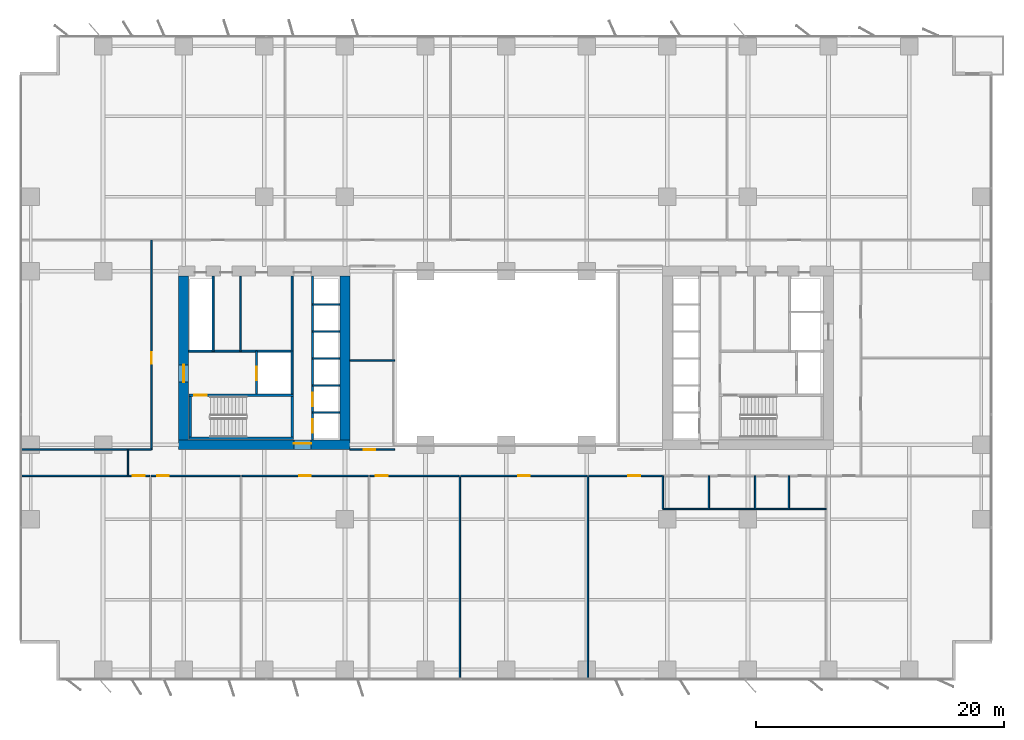
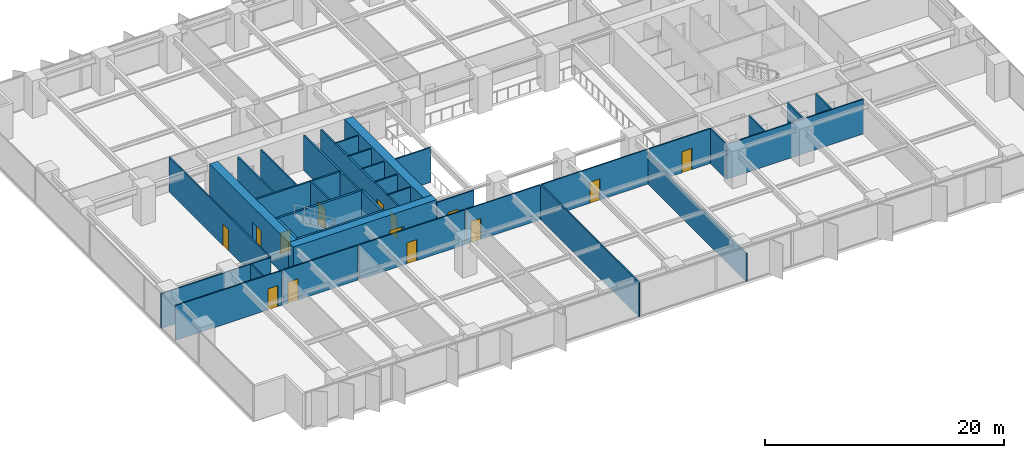
# One storey, part 13 of 20: 37 walls, 14 doors, 14 openings.
"""IFC4 building model written with IfcOpenShell, lengths in metres."""

from ifc_helpers import new_model, si_unit, direction, frame, frame_2d, origin, place, context, subcontext, project, spatial, rectangle, extrude, material, layer, layer_set, type_object, element, fill, save


model = new_model("IFC4")

# Units and contexts
model_context = context("Model", 3, precision=1e-05, world=origin(), true_north=direction((0.0, 1.0)))
body_context = subcontext(model_context, "Body", "Model", "MODEL_VIEW")
ifc_project = project(units=[si_unit("LENGTHUNIT", "METRE"), si_unit("AREAUNIT", "SQUARE_METRE"), si_unit("VOLUMEUNIT", "CUBIC_METRE"), si_unit("PLANEANGLEUNIT", "RADIAN"), si_unit("MASSUNIT", "GRAM", prefix="KILO")], contexts=[model_context])

# Site, building, storey
site_placement = place(None, origin())
site = spatial("IfcSite", under=ifc_project, at=site_placement, CompositionType="ELEMENT")
building_placement = place(site_placement, origin())
building = spatial("IfcBuilding", under=site, at=building_placement, Name="Putna Gate Headquarters", CompositionType="ELEMENT")
storey_placement = place(building_placement, frame((0.0, 0.0, 65.800048828125)))
storey = spatial("IfcBuildingStorey", under=building, at=storey_placement, Name="L15", CompositionType="ELEMENT", Elevation=65.800048828125)

# Wall, opening, door
ifc_material_1 = material(Name="Concrete C60/75", Category="concrete")
ifc_layer_1 = layer(ifc_material_1, 0.800048828125)
ifc_layer_set_1 = layer_set([ifc_layer_1], Name="Concrete C60/75")
wall_type_1 = type_object("IfcWallType", Name="WALL-CORE-800", PredefinedType="SHEAR", material=ifc_layer_set_1)
wall_1_placement = place(storey_placement, frame((12.60009765625, 19.0, 0.0), z_axis=(0.0, 0.0, 1.0), x_axis=(1.0, 0.0, 0.0)))
wall_1 = element("IfcWall", 1, at=wall_1_placement, inside=storey, type_object=wall_type_1, Name="L15 WC Split Core Shear Wall S", PredefinedType="SHEAR", context=body_context, shape_type="SweptSolid", body=[
    extrude(rectangle(XDim=13.7998046875, YDim=0.800048828125, at=frame_2d((6.89990234375, 0.0))), origin(), (0.0, 0.0, 1.0), 3.800048828125),
])
opening_1_placement = place(wall_1_placement, frame((9.280029296875, 0.0, 0.0)))
opening_1 = element("IfcOpeningElement", 2, at=opening_1_placement, cuts=wall_1, Name="Opening FDD-140", PredefinedType="OPENING", context=body_context, shape_type="SweptSolid", body=[
    extrude(rectangle(XDim=1.39990234375, YDim=2.199951171875, at=frame_2d((0.699951171875, 1.10009765625))), frame((0.0, 0.409912109375, 0.0), z_axis=(0.0, -1.0, 0.0), x_axis=(1.0, 0.0, 0.0)), (0.0, 0.0, 1.0), 0.820068359375),
])
ifc_material_2 = material(Name="Double steel fire door", Category="steel")
door_type_1 = type_object("IfcDoorType", Name="DOOR-FIRE-DBL-1400", OperationType="DOUBLE_DOOR_SINGLE_SWING", PredefinedType="DOOR", material=ifc_material_2)
door_1_placement = place(opening_1_placement, origin())
door_1 = element("IfcDoor", 3, at=door_1_placement, inside=storey, type_object=door_type_1, Name="L15 West Lift Lobby South Door", OperationType="DOUBLE_DOOR_SINGLE_SWING", OverallHeight=2.199951171875, OverallWidth=1.39990234375, PredefinedType="DOOR", context=body_context, shape_type="SweptSolid", body=[
    extrude(rectangle(XDim=1.39990234375, YDim=2.199951171875, at=frame_2d((0.699951171875, 1.10009765625))), frame((0.0, 0.125, 0.0), z_axis=(0.0, -1.0, 0.0), x_axis=(1.0, 0.0, 0.0)), (0.0, 0.0, 1.0), 0.050048828125),
])
fill(opening_1, door_1)

wall_2_placement = place(storey_placement, frame((13.0, 19.39990234375, 0.0), z_axis=(0.0, 0.0, 1.0), x_axis=(0.0, 1.0, 0.0)))
wall_2 = element("IfcWall", 4, at=wall_2_placement, inside=storey, type_object=wall_type_1, Name="L15 WC Split Core Shear Wall W", PredefinedType="SHEAR", context=body_context, shape_type="SweptSolid", body=[
    extrude(rectangle(XDim=13.2001953125, YDim=0.800048828125, at=frame_2d((6.60009765625, 0.0))), origin(), (0.0, 0.0, 1.0), 3.800048828125),
])
opening_2_placement = place(wall_2_placement, frame((4.64990234375, 0.0, 0.0)))
opening_2 = element("IfcOpeningElement", 5, at=opening_2_placement, cuts=wall_2, Name="Opening FDD-140", PredefinedType="OPENING", context=body_context, shape_type="SweptSolid", body=[
    extrude(rectangle(XDim=1.39990234375, YDim=2.199951171875, at=frame_2d((0.699951171875, 1.10009765625))), frame((0.0, 0.409912109375, 0.0), z_axis=(0.0, -1.0, 0.0), x_axis=(1.0, 0.0, 0.0)), (0.0, 0.0, 1.0), 0.820068359375),
])
door_2_placement = place(opening_2_placement, origin())
door_2 = element("IfcDoor", 6, at=door_2_placement, inside=storey, type_object=door_type_1, Name="L15 West Firefighting Lobby Door", OperationType="DOUBLE_DOOR_SINGLE_SWING", OverallHeight=2.199951171875, OverallWidth=1.39990234375, PredefinedType="DOOR", context=body_context, shape_type="SweptSolid", body=[
    extrude(rectangle(XDim=1.39990234375, YDim=2.199951171875, at=frame_2d((0.699951171875, 1.10009765625))), frame((0.0, 0.02490234375, 0.0), z_axis=(0.0, -1.0, 0.0), x_axis=(1.0, 0.0, 0.0)), (0.0, 0.0, 1.0), 0.050048828125),
])
fill(opening_2, door_2)

# Walls
wall_3_placement = place(storey_placement, frame((26.0, 19.39990234375, 0.0), z_axis=(0.0, 0.0, 1.0), x_axis=(0.0, 1.0, 0.0)))
element("IfcWall", 7, at=wall_3_placement, inside=storey, type_object=wall_type_1, Name="L15 WC Split Core Shear Wall E", PredefinedType="SHEAR", context=body_context, shape_type="SweptSolid", body=[
    extrude(rectangle(XDim=13.2001953125, YDim=0.800048828125, at=frame_2d((6.60009765625, 0.0))), origin(), (0.0, 0.0, 1.0), 3.800048828125),
])
ifc_material_3 = material(Name="Acoustic gypsum board on metal stud")
ifc_layer_2 = layer(ifc_material_3, 0.1201171875)
ifc_layer_set_2 = layer_set([ifc_layer_2], Name="Acoustic gypsum board on metal stud")
wall_type_2 = type_object("IfcWallType", Name="WALL-PART-120", PredefinedType="PARTITIONING", material=ifc_layer_set_2)
wall_4_placement = place(storey_placement, frame((26.39990234375, 25.800048828125, 0.0), z_axis=(0.0, 0.0, 1.0), x_axis=(1.0, 0.0, 0.0)))
element("IfcWall", 8, at=wall_4_placement, inside=storey, type_object=wall_type_2, Name="L15 Interior Wall PART-L15-ATR-W-DIV", PredefinedType="PARTITIONING", context=body_context, shape_type="SweptSolid", body=[
    extrude(rectangle(XDim=3.60009765625, YDim=0.1201171875, at=frame_2d((1.800048828125, 0.0))), origin(), (0.0, 0.0, 1.0), 3.550048828125),
])

# Wall, opening, door
wall_5_placement = place(storey_placement, frame((26.39990234375, 18.60009765625, 0.0), z_axis=(0.0, 0.0, 1.0), x_axis=(1.0, 0.0, 0.0)))
wall_5 = element("IfcWall", 9, at=wall_5_placement, inside=storey, type_object=wall_type_2, Name="L15 Interior Wall PART-L15-ATR-W-S", PredefinedType="PARTITIONING", context=body_context, shape_type="SweptSolid", body=[
    extrude(rectangle(XDim=3.60009765625, YDim=0.1201171875, at=frame_2d((1.800048828125, 0.0))), origin(), (0.0, 0.0, 1.0), 3.550048828125),
])
opening_3_placement = place(wall_5_placement, frame((1.10009765625, 0.0, 0.0)))
opening_3 = element("IfcOpeningElement", 10, at=opening_3_placement, cuts=wall_5, Name="Opening ID-95", PredefinedType="OPENING", context=body_context, shape_type="SweptSolid", body=[
    extrude(rectangle(XDim=0.949951171875, YDim=2.14990234375, at=frame_2d((0.47509765625, 1.074951171875))), frame((0.0, 0.070068359375, 0.0), z_axis=(0.0, -1.0, 0.0), x_axis=(1.0, 0.0, 0.0)), (0.0, 0.0, 1.0), 0.14013671875),
])
ifc_material_4 = material(Name="Veneered acoustic timber door", Category="wood")
door_type_2 = type_object("IfcDoorType", Name="DOOR-OFF-950", OperationType="NOTDEFINED", PredefinedType="DOOR", material=ifc_material_4)
door_3_placement = place(opening_3_placement, origin())
door_3 = element("IfcDoor", 11, at=door_3_placement, inside=storey, type_object=door_type_2, Name="L15 West Atrium South Study Door", OperationType="SINGLE_SWING_LEFT", OverallHeight=2.14990234375, OverallWidth=0.949951171875, PredefinedType="DOOR", context=body_context, shape_type="SweptSolid", body=[
    extrude(rectangle(XDim=0.949951171875, YDim=2.14990234375, at=frame_2d((0.47509765625, 1.074951171875))), frame((0.0, 0.02490234375, 0.0), z_axis=(0.0, -1.0, 0.0), x_axis=(1.0, 0.0, 0.0)), (0.0, 0.0, 1.0), 0.050048828125),
])
fill(opening_3, door_3)

# Walls
wall_6_placement = place(storey_placement, frame((35.27099609375, 0.02001953125, 0.0), z_axis=(0.0, 0.0, 1.0), x_axis=(0.0, 1.0, 0.0)))
element("IfcWall", 12, at=wall_6_placement, inside=storey, type_object=wall_type_2, Name="L15 Interior Wall PART-L15-SB-DIV-04", PredefinedType="PARTITIONING", context=body_context, shape_type="SweptSolid", body=[
    extrude(rectangle(XDim=16.419921875, YDim=0.1201171875, at=frame_2d((8.2099609375, 0.0))), origin(), (0.0, 0.0, 1.0), 3.550048828125),
])
wall_7_placement = place(storey_placement, frame((45.60009765625, 0.02001953125, 0.0), z_axis=(0.0, 0.0, 1.0), x_axis=(0.0, 1.0, 0.0)))
element("IfcWall", 13, at=wall_7_placement, inside=storey, type_object=wall_type_2, Name="L15 Interior Wall PART-L15-SB-DIV-05", PredefinedType="PARTITIONING", context=body_context, shape_type="SweptSolid", body=[
    extrude(rectangle(XDim=16.419921875, YDim=0.1201171875, at=frame_2d((8.2099609375, 0.0))), origin(), (0.0, 0.0, 1.0), 2.89990234375),
])
ifc_material_5 = material(Name="Fire-rated shaftwall gypsum board on metal stud")
ifc_layer_3 = layer(ifc_material_5, 0.1201171875)
ifc_layer_set_3 = layer_set([ifc_layer_3], Name="Fire-rated shaftwall gypsum board on metal stud")
wall_type_3 = type_object("IfcWallType", Name="WALL-PART-120-EI120", PredefinedType="PARTITIONING", material=ifc_layer_set_3)
for number, where, z_axis, x_axis, name in (
    (14, (23.39990234375, 21.610107421875, 0.0), (0.0, 0.0, 1.0), (1.0, 0.0, 0.0), "L15 Interior Wall CWINT-L15-WC-LF01-DIV"),
    (15, (23.39990234375, 23.780029296875, 0.0), (0.0, 0.0, 1.0), (1.0, 0.0, 0.0), "L15 Interior Wall CWINT-L15-WC-LF02-DIV"),
    (16, (23.39990234375, 25.949951171875, 0.0), (0.0, 0.0, 1.0), (1.0, 0.0, 0.0), "L15 Interior Wall CWINT-L15-WC-LF05-DIV"),
    (17, (23.39990234375, 28.1201171875, 0.0), (0.0, 0.0, 1.0), (1.0, 0.0, 0.0), "L15 Interior Wall CWINT-L15-WC-LF06-DIV"),
    (18, (23.39990234375, 30.31005859375, 0.0), (0.0, 0.0, 1.0), (1.0, 0.0, 0.0), "L15 Interior Wall CWINT-L15-WC-LF09-DIV"),
):
    element("IfcWall", number, at=place(storey_placement, frame(where, z_axis=z_axis, x_axis=x_axis)), inside=storey, type_object=wall_type_3, Name=name, PredefinedType="PARTITIONING", context=body_context, shape_type="SweptSolid", body=[
        extrude(rectangle(XDim=2.2001953125, YDim=0.1201171875, at=frame_2d((1.10009765625, 0.0))), origin(), (0.0, 0.0, 1.0), 3.550048828125),
    ])
ifc_material_6 = material(Name="Fire-rated gypsum board on metal stud")
ifc_layer_4 = layer(ifc_material_6, 0.1201171875)
ifc_layer_set_4 = layer_set([ifc_layer_4], Name="Fire-rated gypsum board on metal stud")
wall_type_4 = type_object("IfcWallType", Name="WALL-PART-120-RATED", PredefinedType="PARTITIONING", material=ifc_layer_set_4)
wall_8_placement = place(storey_placement, frame((17.570068359375, 26.56005859375, 0.0), z_axis=(0.0, 0.0, 1.0), x_axis=(0.0, 1.0, 0.0)))
element("IfcWall", 19, at=wall_8_placement, inside=storey, type_object=wall_type_4, Name="L15 Interior Wall CWINT-L15-WC-K1-DIV", PredefinedType="PARTITIONING", context=body_context, shape_type="SweptSolid", body=[
    extrude(rectangle(XDim=6.0400390625, YDim=0.1201171875, at=frame_2d((3.02001953125, 0.0))), origin(), (0.0, 0.0, 1.0), 3.550048828125),
])
wall_9_placement = place(storey_placement, frame((8.509033203125, 16.5, 0.0), z_axis=(0.0, 0.0, 1.0), x_axis=(0.0, 1.0, 0.0)))
element("IfcWall", 20, at=wall_9_placement, inside=storey, type_object=wall_type_4, Name="L15 Interior Wall PART-L15-CORRS-CAPW", PredefinedType="PARTITIONING", context=body_context, shape_type="SweptSolid", body=[
    extrude(rectangle(XDim=2.10009765625, YDim=0.1201171875, at=frame_2d((1.050048828125, 0.0))), origin(), (0.0, 0.0, 1.0), 3.550048828125),
])
wall_10_placement = place(storey_placement, frame((51.639892578125, 13.820068359375, 0.0), z_axis=(0.0, 0.0, 1.0), x_axis=(1.0, 0.0, 0.0)))
element("IfcWall", 21, at=wall_10_placement, inside=storey, type_object=wall_type_4, Name="L15 Interior Wall PART-L15-SAN-BACK", PredefinedType="PARTITIONING", context=body_context, shape_type="SweptSolid", body=[
    extrude(rectangle(XDim=13.16015625, YDim=0.1201171875, at=frame_2d((6.580078125, 0.0))), origin(), (0.0, 0.0, 1.0), 3.550048828125),
])
for number, where, z_axis, x_axis, name in (
    (22, (51.639892578125, 13.820068359375, 0.0), (0.0, 0.0, 1.0), (0.0, 1.0, 0.0), "L15 Interior Wall PART-L15-SAN-DIV-1"),
    (23, (55.360107421875, 13.820068359375, 0.0), (0.0, 0.0, 1.0), (0.0, 1.0, 0.0), "L15 Interior Wall PART-L15-SAN-DIV-2"),
    (24, (59.080078125, 13.820068359375, 0.0), (0.0, 0.0, 1.0), (0.0, 1.0, 0.0), "L15 Interior Wall PART-L15-SAN-DIV-3"),
    (25, (61.800048828125, 13.820068359375, 0.0), (0.0, 0.0, 1.0), (0.0, 1.0, 0.0), "L15 Interior Wall PART-L15-SAN-DIV-4"),
):
    element("IfcWall", number, at=place(storey_placement, frame(where, z_axis=z_axis, x_axis=x_axis)), inside=storey, type_object=wall_type_4, Name=name, PredefinedType="PARTITIONING", context=body_context, shape_type="SweptSolid", body=[
        extrude(rectangle(XDim=2.679931640625, YDim=0.1201171875, at=frame_2d((1.33984375, 0.0))), origin(), (0.0, 0.0, 1.0), 3.550048828125),
    ])

# Wall, opening, door
wall_11_placement = place(storey_placement, frame((-0.02001953125, 16.5, 0.0), z_axis=(0.0, 0.0, 1.0), x_axis=(1.0, 0.0, 0.0)))
wall_11 = element("IfcWall", 26, at=wall_11_placement, inside=storey, type_object=wall_type_4, Name="L15 Interior Wall PART-L15-SB-CW-01", PredefinedType="PARTITIONING", context=body_context, shape_type="SweptSolid", body=[
    extrude(rectangle(XDim=10.26904296875, YDim=0.1201171875, at=frame_2d((5.134521484375, 0.0))), origin(), (0.0, 0.0, 1.0), 3.550048828125),
])
opening_4_placement = place(wall_11_placement, frame((8.924072265625, 0.0, 0.0)))
opening_4 = element("IfcOpeningElement", 27, at=opening_4_placement, cuts=wall_11, Name="Opening FD-95", PredefinedType="OPENING", context=body_context, shape_type="SweptSolid", body=[
    extrude(rectangle(XDim=0.949951171875, YDim=2.14990234375, at=frame_2d((0.47509765625, 1.074951171875))), frame((0.0, 0.070068359375, 0.0), z_axis=(0.0, -1.0, 0.0), x_axis=(1.0, 0.0, 0.0)), (0.0, 0.0, 1.0), 0.14013671875),
])
ifc_material_7 = material(Name="Acoustic timber fire door", Category="wood")
door_type_3 = type_object("IfcDoorType", Name="DOOR-FIRE-950", OperationType="NOTDEFINED", PredefinedType="DOOR", material=ifc_material_7)
door_4_placement = place(opening_4_placement, origin())
door_4 = element("IfcDoor", 28, at=door_4_placement, inside=storey, type_object=door_type_3, Name="L15 Cellular Office 2 Door", OperationType="SINGLE_SWING_RIGHT", OverallHeight=2.14990234375, OverallWidth=0.949951171875, PredefinedType="DOOR", context=body_context, shape_type="SweptSolid", body=[
    extrude(rectangle(XDim=0.949951171875, YDim=2.14990234375, at=frame_2d((0.47509765625, 1.074951171875))), frame((0.0, 0.02490234375, 0.0), z_axis=(0.0, -1.0, 0.0), x_axis=(1.0, 0.0, 0.0)), (0.0, 0.0, 1.0), 0.050048828125),
])
fill(opening_4, door_4)

wall_12_placement = place(storey_placement, frame((10.369140625, 16.5, 0.0), z_axis=(0.0, 0.0, 1.0), x_axis=(1.0, 0.0, 0.0)))
wall_12 = element("IfcWall", 29, at=wall_12_placement, inside=storey, type_object=wall_type_4, Name="L15 Interior Wall PART-L15-SB-CW-02", PredefinedType="PARTITIONING", context=body_context, shape_type="SweptSolid", body=[
    extrude(rectangle(XDim=7.1962890625, YDim=0.1201171875, at=frame_2d((3.59814453125, 0.0))), origin(), (0.0, 0.0, 1.0), 3.550048828125),
])
opening_5_placement = place(wall_12_placement, frame((0.47998046875, 0.0, 0.0)))
opening_5 = element("IfcOpeningElement", 30, at=opening_5_placement, cuts=wall_12, Name="Opening FD-95", PredefinedType="OPENING", context=body_context, shape_type="SweptSolid", body=[
    extrude(rectangle(XDim=0.949951171875, YDim=2.14990234375, at=frame_2d((0.47509765625, 1.074951171875))), frame((0.0, 0.070068359375, 0.0), z_axis=(0.0, -1.0, 0.0), x_axis=(1.0, 0.0, 0.0)), (0.0, 0.0, 1.0), 0.14013671875),
])
door_5_placement = place(opening_5_placement, origin())
door_5 = element("IfcDoor", 31, at=door_5_placement, inside=storey, type_object=door_type_3, Name="L15 Conference Meeting Room 4 Door", OperationType="SINGLE_SWING_LEFT", OverallHeight=2.14990234375, OverallWidth=0.949951171875, PredefinedType="DOOR", context=body_context, shape_type="SweptSolid", body=[
    extrude(rectangle(XDim=0.949951171875, YDim=2.14990234375, at=frame_2d((0.47509765625, 1.074951171875))), frame((0.0, 0.02490234375, 0.0), z_axis=(0.0, -1.0, 0.0), x_axis=(1.0, 0.0, 0.0)), (0.0, 0.0, 1.0), 0.050048828125),
])
fill(opening_5, door_5)

wall_13_placement = place(storey_placement, frame((17.685546875, 16.5, 0.0), z_axis=(0.0, 0.0, 1.0), x_axis=(1.0, 0.0, 0.0)))
wall_13 = element("IfcWall", 32, at=wall_13_placement, inside=storey, type_object=wall_type_4, Name="L15 Interior Wall PART-L15-SB-CW-03", PredefinedType="PARTITIONING", context=body_context, shape_type="SweptSolid", body=[
    extrude(rectangle(XDim=10.208984375, YDim=0.1201171875, at=frame_2d((5.1044921875, 0.0))), origin(), (0.0, 0.0, 1.0), 3.550048828125),
])
opening_6_placement = place(wall_13_placement, frame((4.62939453125, 0.0, 0.0)))
opening_6 = element("IfcOpeningElement", 33, at=opening_6_placement, cuts=wall_13, Name="Opening FD-95", PredefinedType="OPENING", context=body_context, shape_type="SweptSolid", body=[
    extrude(rectangle(XDim=0.949951171875, YDim=2.14990234375, at=frame_2d((0.47509765625, 1.074951171875))), frame((0.0, 0.070068359375, 0.0), z_axis=(0.0, -1.0, 0.0), x_axis=(1.0, 0.0, 0.0)), (0.0, 0.0, 1.0), 0.14013671875),
])
door_6_placement = place(opening_6_placement, origin())
door_6 = element("IfcDoor", 34, at=door_6_placement, inside=storey, type_object=door_type_3, Name="L15 Conference Meeting Room 5 Door", OperationType="SINGLE_SWING_RIGHT", OverallHeight=2.14990234375, OverallWidth=0.949951171875, PredefinedType="DOOR", context=body_context, shape_type="SweptSolid", body=[
    extrude(rectangle(XDim=0.949951171875, YDim=2.14990234375, at=frame_2d((0.47509765625, 1.074951171875))), frame((0.0, 0.02490234375, 0.0), z_axis=(0.0, -1.0, 0.0), x_axis=(1.0, 0.0, 0.0)), (0.0, 0.0, 1.0), 0.050048828125),
])
fill(opening_6, door_6)

wall_14_placement = place(storey_placement, frame((28.014404296875, 16.5, 0.0), z_axis=(0.0, 0.0, 1.0), x_axis=(1.0, 0.0, 0.0)))
wall_14 = element("IfcWall", 35, at=wall_14_placement, inside=storey, type_object=wall_type_4, Name="L15 Interior Wall PART-L15-SB-CW-04", PredefinedType="PARTITIONING", context=body_context, shape_type="SweptSolid", body=[
    extrude(rectangle(XDim=7.196533203125, YDim=0.1201171875, at=frame_2d((3.59814453125, 0.0))), origin(), (0.0, 0.0, 1.0), 3.550048828125),
])
opening_7_placement = place(wall_14_placement, frame((0.47998046875, 0.0, 0.0)))
opening_7 = element("IfcOpeningElement", 36, at=opening_7_placement, cuts=wall_14, Name="Opening FD-95", PredefinedType="OPENING", context=body_context, shape_type="SweptSolid", body=[
    extrude(rectangle(XDim=0.949951171875, YDim=2.14990234375, at=frame_2d((0.47509765625, 1.074951171875))), frame((0.0, 0.070068359375, 0.0), z_axis=(0.0, -1.0, 0.0), x_axis=(1.0, 0.0, 0.0)), (0.0, 0.0, 1.0), 0.14013671875),
])
door_7_placement = place(opening_7_placement, origin())
door_7 = element("IfcDoor", 37, at=door_7_placement, inside=storey, type_object=door_type_3, Name="L15 Collaborative Breakout Lounge 1 Door", OperationType="SINGLE_SWING_LEFT", OverallHeight=2.14990234375, OverallWidth=0.949951171875, PredefinedType="DOOR", context=body_context, shape_type="SweptSolid", body=[
    extrude(rectangle(XDim=0.949951171875, YDim=2.14990234375, at=frame_2d((0.47509765625, 1.074951171875))), frame((0.0, 0.02490234375, 0.0), z_axis=(0.0, -1.0, 0.0), x_axis=(1.0, 0.0, 0.0)), (0.0, 0.0, 1.0), 0.050048828125),
])
fill(opening_7, door_7)

wall_15_placement = place(storey_placement, frame((35.330810546875, 16.5, 0.0), z_axis=(0.0, 0.0, 1.0), x_axis=(1.0, 0.0, 0.0)))
wall_15 = element("IfcWall", 38, at=wall_15_placement, inside=storey, type_object=wall_type_4, Name="L15 Interior Wall PART-L15-SB-CW-05", PredefinedType="PARTITIONING", context=body_context, shape_type="SweptSolid", body=[
    extrude(rectangle(XDim=10.209228515625, YDim=0.1201171875, at=frame_2d((5.1044921875, 0.0))), origin(), (0.0, 0.0, 1.0), 3.550048828125),
])
opening_8_placement = place(wall_15_placement, frame((4.629638671875, 0.0, 0.0)))
opening_8 = element("IfcOpeningElement", 39, at=opening_8_placement, cuts=wall_15, Name="Opening FD-95", PredefinedType="OPENING", context=body_context, shape_type="SweptSolid", body=[
    extrude(rectangle(XDim=0.949951171875, YDim=2.14990234375, at=frame_2d((0.47509765625, 1.074951171875))), frame((0.0, 0.070068359375, 0.0), z_axis=(0.0, -1.0, 0.0), x_axis=(1.0, 0.0, 0.0)), (0.0, 0.0, 1.0), 0.14013671875),
])
door_8_placement = place(opening_8_placement, origin())
door_8 = element("IfcDoor", 40, at=door_8_placement, inside=storey, type_object=door_type_3, Name="L15 Quiet Wellness Focus Studio 1 Door", OperationType="SINGLE_SWING_RIGHT", OverallHeight=2.14990234375, OverallWidth=0.949951171875, PredefinedType="DOOR", context=body_context, shape_type="SweptSolid", body=[
    extrude(rectangle(XDim=0.949951171875, YDim=2.14990234375, at=frame_2d((0.47509765625, 1.074951171875))), frame((0.0, 0.02490234375, 0.0), z_axis=(0.0, -1.0, 0.0), x_axis=(1.0, 0.0, 0.0)), (0.0, 0.0, 1.0), 0.050048828125),
])
fill(opening_8, door_8)

wall_16_placement = place(storey_placement, frame((45.659912109375, 16.5, 0.0), z_axis=(0.0, 0.0, 1.0), x_axis=(1.0, 0.0, 0.0)))
wall_16 = element("IfcWall", 41, at=wall_16_placement, inside=storey, type_object=wall_type_4, Name="L15 Interior Wall PART-L15-SB-CW-06", PredefinedType="PARTITIONING", context=body_context, shape_type="SweptSolid", body=[
    extrude(rectangle(XDim=5.920166015625, YDim=0.1201171875, at=frame_2d((2.9599609375, 0.0))), origin(), (0.0, 0.0, 1.0), 3.550048828125),
])
opening_9_placement = place(wall_16_placement, frame((3.194091796875, 0.0, 0.0)))
opening_9 = element("IfcOpeningElement", 42, at=opening_9_placement, cuts=wall_16, Name="Opening FD-95", PredefinedType="OPENING", context=body_context, shape_type="SweptSolid", body=[
    extrude(rectangle(XDim=0.949951171875, YDim=2.14990234375, at=frame_2d((0.47509765625, 1.074951171875))), frame((0.0, 0.070068359375, 0.0), z_axis=(0.0, -1.0, 0.0), x_axis=(1.0, 0.0, 0.0)), (0.0, 0.0, 1.0), 0.14013671875),
])
door_9_placement = place(opening_9_placement, origin())
door_9 = element("IfcDoor", 43, at=door_9_placement, inside=storey, type_object=door_type_3, Name="L15 Primary Open Office Workplace Door", OperationType="SINGLE_SWING_LEFT", OverallHeight=2.14990234375, OverallWidth=0.949951171875, PredefinedType="DOOR", context=body_context, shape_type="SweptSolid", body=[
    extrude(rectangle(XDim=0.949951171875, YDim=2.14990234375, at=frame_2d((0.47509765625, 1.074951171875))), frame((0.0, 0.02490234375, 0.0), z_axis=(0.0, -1.0, 0.0), x_axis=(1.0, 0.0, 0.0)), (0.0, 0.0, 1.0), 0.050048828125),
])
fill(opening_9, door_9)

# Wall
wall_17_placement = place(storey_placement, frame((-0.179931640625, 18.60009765625, 0.0), z_axis=(0.0, 0.0, 1.0), x_axis=(1.0, 0.0, 0.0)))
element("IfcWall", 44, at=wall_17_placement, inside=storey, type_object=wall_type_4, Name="L15 Interior Wall PART-L15-WW-S-BOUND", PredefinedType="PARTITIONING", context=body_context, shape_type="SweptSolid", body=[
    extrude(rectangle(XDim=10.579833984375, YDim=0.1201171875, at=frame_2d((5.2900390625, 0.0))), origin(), (0.0, 0.0, 1.0), 3.550048828125),
])

# Wall, opening, door
wall_18_placement = place(storey_placement, frame((10.39990234375, 18.60009765625, 0.0), z_axis=(0.0, 0.0, 1.0), x_axis=(0.0, 1.0, 0.0)))
wall_18 = element("IfcWall", 45, at=wall_18_placement, inside=storey, type_object=wall_type_4, Name="L15 Interior Wall PART-L15-WW-CW-1", PredefinedType="PARTITIONING", context=body_context, shape_type="SweptSolid", body=[
    extrude(rectangle(XDim=16.89990234375, YDim=0.1201171875, at=frame_2d((8.449951171875, 0.0))), origin(), (0.0, 0.0, 1.0), 3.550048828125),
])
opening_10_placement = place(wall_18_placement, frame((6.925048828125, 0.0, 0.0)))
opening_10 = element("IfcOpeningElement", 46, at=opening_10_placement, cuts=wall_18, Name="Opening FD-95", PredefinedType="OPENING", context=body_context, shape_type="SweptSolid", body=[
    extrude(rectangle(XDim=0.949951171875, YDim=2.14990234375, at=frame_2d((0.47509765625, 1.074951171875))), frame((0.0, 0.070068359375, 0.0), z_axis=(0.0, -1.0, 0.0), x_axis=(1.0, 0.0, 0.0)), (0.0, 0.0, 1.0), 0.14013671875),
])
door_10_placement = place(opening_10_placement, origin())
door_10 = element("IfcDoor", 47, at=door_10_placement, inside=storey, type_object=door_type_3, Name="L15 West Project Meeting Room 1 Door", OperationType="SINGLE_SWING_LEFT", OverallHeight=2.14990234375, OverallWidth=0.949951171875, PredefinedType="DOOR", context=body_context, shape_type="SweptSolid", body=[
    extrude(rectangle(XDim=0.949951171875, YDim=2.14990234375, at=frame_2d((0.47509765625, 1.074951171875))), frame((0.0, 0.02490234375, 0.0), z_axis=(0.0, -1.0, 0.0), x_axis=(1.0, 0.0, 0.0)), (0.0, 0.0, 1.0), 0.050048828125),
])
fill(opening_10, door_10)

# Wall
ifc_material_8 = material(Name="Concrete C40/50", Category="concrete")
ifc_layer_5 = layer(ifc_material_8, 0.159912109375)
ifc_layer_set_5 = layer_set([ifc_layer_5], Name="Concrete C40/50")
wall_type_5 = type_object("IfcWallType", Name="WALL-SHAFT-160", PredefinedType="STANDARD", material=ifc_layer_set_5)
wall_19_placement = place(storey_placement, frame((21.739990234375, 23.090087890625, 0.0), z_axis=(0.0, 0.0, 1.0), x_axis=(0.0, 1.0, 0.0)))
element("IfcWall", 48, at=wall_19_placement, inside=storey, type_object=wall_type_5, Name="L15 Interior Wall CWINT-L15-WC-FFL-E", PredefinedType="STANDARD", context=body_context, shape_type="SweptSolid", body=[
    extrude(rectangle(XDim=3.469970703125, YDim=0.159912109375, at=frame_2d((1.73486328125, 0.0))), origin(), (0.0, 0.0, 1.0), 3.550048828125),
])

# Wall, opening, door
wall_20_placement = place(storey_placement, frame((18.8798828125, 23.090087890625, 0.0), z_axis=(0.0, 0.0, 1.0), x_axis=(0.0, 1.0, 0.0)))
wall_20 = element("IfcWall", 49, at=wall_20_placement, inside=storey, type_object=wall_type_5, Name="L15 Interior Wall CWINT-L15-WC-LF13-W", PredefinedType="STANDARD", context=body_context, shape_type="SweptSolid", body=[
    extrude(rectangle(XDim=3.469970703125, YDim=0.159912109375, at=frame_2d((1.73486328125, 0.0))), origin(), (0.0, 0.0, 1.0), 3.550048828125),
])
opening_11_placement = place(wall_20_placement, frame((1.10009765625, 0.0, 0.0)))
opening_11 = element("IfcOpeningElement", 50, at=opening_11_placement, cuts=wall_20, Name="Opening LD-1", PredefinedType="OPENING", context=body_context, shape_type="SweptSolid", body=[
    extrude(rectangle(XDim=1.10009765625, YDim=2.199951171875, at=frame_2d((0.550048828125, 1.10009765625))), frame((0.0, 0.08984375, 0.0), z_axis=(0.0, -1.0, 0.0), x_axis=(1.0, 0.0, 0.0)), (0.0, 0.0, 1.0), 0.179931640625),
])
ifc_material_9 = material(Name="Brushed bronze stainless lift landing door")
door_type_4 = type_object("IfcDoorType", Name="DOOR-LIFT-1100", OperationType="DOUBLE_DOOR_SLIDING", PredefinedType="DOOR", material=ifc_material_9)
door_11_placement = place(opening_11_placement, origin())
door_11 = element("IfcDoor", 51, at=door_11_placement, inside=storey, type_object=door_type_4, Name="L15 Lift Landing Door LD-13", OperationType="DOUBLE_DOOR_SLIDING", OverallHeight=2.199951171875, OverallWidth=1.10009765625, PredefinedType="DOOR", context=body_context, shape_type="SweptSolid", body=[
    extrude(rectangle(XDim=1.10009765625, YDim=2.199951171875, at=frame_2d((0.550048828125, 1.10009765625))), frame((0.0, 0.02490234375, 0.0), z_axis=(0.0, -1.0, 0.0), x_axis=(1.0, 0.0, 0.0)), (0.0, 0.0, 1.0), 0.050048828125),
])
fill(opening_11, door_11)

# Walls
wall_21_placement = place(storey_placement, frame((13.39990234375, 26.56005859375, 0.0), z_axis=(0.0, 0.0, 1.0), x_axis=(1.0, 0.0, 0.0)))
element("IfcWall", 52, at=wall_21_placement, inside=storey, type_object=wall_type_5, Name="L15 Interior Wall CWINT-L15-WC-FFL-N", PredefinedType="STANDARD", context=body_context, shape_type="SweptSolid", body=[
    extrude(rectangle(XDim=8.340087890625, YDim=0.159912109375, at=frame_2d((4.169921875, 0.0))), origin(), (0.0, 0.0, 1.0), 3.550048828125),
])
for number, where, z_axis, x_axis, name in (
    (53, (15.3798828125, 26.56005859375, 0.0), (0.0, 0.0, 1.0), (0.0, 1.0, 0.0), "L15 Interior Wall CWINT-L15-WC-RISER-E"),
    (54, (21.739990234375, 26.56005859375, 0.0), (0.0, 0.0, 1.0), (0.0, 1.0, 0.0), "L15 Interior Wall CWINT-L15-WC-LOB-W"),
):
    element("IfcWall", number, at=place(storey_placement, frame(where, z_axis=z_axis, x_axis=x_axis)), inside=storey, type_object=wall_type_5, Name=name, PredefinedType="STANDARD", context=body_context, shape_type="SweptSolid", body=[
        extrude(rectangle(XDim=6.0400390625, YDim=0.159912109375, at=frame_2d((3.02001953125, 0.0))), origin(), (0.0, 0.0, 1.0), 3.550048828125),
    ])

# Wall, openings, doors
wall_22_placement = place(storey_placement, frame((23.39990234375, 19.39990234375, 0.0), z_axis=(0.0, 0.0, 1.0), x_axis=(0.0, 1.0, 0.0)))
wall_22 = element("IfcWall", 55, at=wall_22_placement, inside=storey, type_object=wall_type_5, Name="L15 Interior Wall CWINT-L15-WC-PL-WALL", PredefinedType="STANDARD", context=body_context, shape_type="SweptSolid", body=[
    extrude(rectangle(XDim=13.2001953125, YDim=0.159912109375, at=frame_2d((6.60009765625, 0.0))), origin(), (0.0, 0.0, 1.0), 3.550048828125),
])
opening_12_placement = place(wall_22_placement, frame((0.550048828125, 0.0, 0.0)))
opening_12 = element("IfcOpeningElement", 56, at=opening_12_placement, cuts=wall_22, Name="Opening LD-1", PredefinedType="OPENING", context=body_context, shape_type="SweptSolid", body=[
    extrude(rectangle(XDim=1.10009765625, YDim=2.199951171875, at=frame_2d((0.550048828125, 1.10009765625))), frame((0.0, 0.08984375, 0.0), z_axis=(0.0, -1.0, 0.0), x_axis=(1.0, 0.0, 0.0)), (0.0, 0.0, 1.0), 0.179931640625),
])
opening_13_placement = place(wall_22_placement, frame((2.699951171875, 0.0, 0.0)))
opening_13 = element("IfcOpeningElement", 57, at=opening_13_placement, cuts=wall_22, Name="Opening LD-1", PredefinedType="OPENING", context=body_context, shape_type="SweptSolid", body=[
    extrude(rectangle(XDim=1.10009765625, YDim=2.199951171875, at=frame_2d((0.550048828125, 1.10009765625))), frame((0.0, 0.08984375, 0.0), z_axis=(0.0, -1.0, 0.0), x_axis=(1.0, 0.0, 0.0)), (0.0, 0.0, 1.0), 0.179931640625),
])
door_12_placement = place(opening_12_placement, origin())
door_12 = element("IfcDoor", 58, at=door_12_placement, inside=storey, type_object=door_type_4, Name="L15 Lift Landing Door LD-01", OperationType="DOUBLE_DOOR_SLIDING", OverallHeight=2.199951171875, OverallWidth=1.10009765625, PredefinedType="DOOR", context=body_context, shape_type="SweptSolid", body=[
    extrude(rectangle(XDim=1.10009765625, YDim=2.199951171875, at=frame_2d((0.550048828125, 1.10009765625))), frame((0.0, 0.02490234375, 0.0), z_axis=(0.0, -1.0, 0.0), x_axis=(1.0, 0.0, 0.0)), (0.0, 0.0, 1.0), 0.050048828125),
])
fill(opening_12, door_12)
door_13_placement = place(opening_13_placement, origin())
door_13 = element("IfcDoor", 59, at=door_13_placement, inside=storey, type_object=door_type_4, Name="L15 Lift Landing Door LD-02", OperationType="DOUBLE_DOOR_SLIDING", OverallHeight=2.199951171875, OverallWidth=1.10009765625, PredefinedType="DOOR", context=body_context, shape_type="SweptSolid", body=[
    extrude(rectangle(XDim=1.10009765625, YDim=2.199951171875, at=frame_2d((0.550048828125, 1.10009765625))), frame((0.0, 0.02490234375, 0.0), z_axis=(0.0, -1.0, 0.0), x_axis=(1.0, 0.0, 0.0)), (0.0, 0.0, 1.0), 0.050048828125),
])
fill(opening_13, door_13)

# Wall
ifc_layer_6 = layer(ifc_material_8, 0.199951171875)
ifc_layer_set_6 = layer_set([ifc_layer_6], Name="Concrete C40/50")
wall_type_6 = type_object("IfcWallType", Name="WALL-SHAFT-RC200", PredefinedType="SHEAR", material=ifc_layer_set_6)
wall_23_placement = place(storey_placement, frame((13.409912109375, 19.510009765625, 0.0), z_axis=(0.0, 0.0, 1.0), x_axis=(1.0, 0.0, 0.0)))
element("IfcWall", 60, at=wall_23_placement, inside=storey, type_object=wall_type_6, Name="L15 Stair ST1 Structural Shaft Wall S", PredefinedType="SHEAR", context=body_context, shape_type="SweptSolid", body=[
    extrude(rectangle(XDim=8.43017578125, YDim=0.199951171875, at=frame_2d((4.215087890625, 0.0))), origin(), (0.0, 0.0, 1.0), 3.800048828125),
])

# Wall, opening, door
wall_24_placement = place(storey_placement, frame((13.409912109375, 22.989990234375, 0.0), z_axis=(0.0, 0.0, 1.0), x_axis=(1.0, 0.0, 0.0)))
wall_24 = element("IfcWall", 61, at=wall_24_placement, inside=storey, type_object=wall_type_6, Name="L15 Stair ST1 Structural Shaft Wall N", PredefinedType="SHEAR", context=body_context, shape_type="SweptSolid", body=[
    extrude(rectangle(XDim=8.43017578125, YDim=0.199951171875, at=frame_2d((4.215087890625, 0.0))), origin(), (0.0, 0.0, 1.0), 3.800048828125),
])
opening_14_placement = place(wall_24_placement, frame((0.449951171875, 0.0, 0.0)))
opening_14 = element("IfcOpeningElement", 62, at=opening_14_placement, cuts=wall_24, Name="Opening FD-100", PredefinedType="OPENING", context=body_context, shape_type="SweptSolid", body=[
    extrude(rectangle(XDim=1.0, YDim=2.14990234375, at=frame_2d((0.5, 1.074951171875))), frame((0.0, 0.10986328125, 0.0), z_axis=(0.0, -1.0, 0.0), x_axis=(1.0, 0.0, 0.0)), (0.0, 0.0, 1.0), 0.219970703125),
])
ifc_material_10 = material(Name="Powder-coated steel fire door", Category="steel")
door_type_5 = type_object("IfcDoorType", Name="DOOR-FIRE-1000", OperationType="NOTDEFINED", PredefinedType="DOOR", material=ifc_material_10)
door_14_placement = place(opening_14_placement, origin())
door_14 = element("IfcDoor", 63, at=door_14_placement, inside=storey, type_object=door_type_5, Name="L15 Stair ST1 Fire Door", OperationType="SINGLE_SWING_LEFT", OverallHeight=2.14990234375, OverallWidth=1.0, PredefinedType="DOOR", context=body_context, shape_type="SweptSolid", body=[
    extrude(rectangle(XDim=1.0, YDim=2.14990234375, at=frame_2d((0.5, 1.074951171875))), frame((0.0, 0.02490234375, 0.0), z_axis=(0.0, -1.0, 0.0), x_axis=(1.0, 0.0, 0.0)), (0.0, 0.0, 1.0), 0.050048828125),
])
fill(opening_14, door_14)

# Walls
for number, where, z_axis, x_axis, name in (
    (64, (13.510009765625, 19.610107421875, 0.0), (0.0, 0.0, 1.0), (0.0, 1.0, 0.0), "L15 Stair ST1 Structural Shaft Wall W"),
    (65, (21.739990234375, 19.610107421875, 0.0), (0.0, 0.0, 1.0), (0.0, 1.0, 0.0), "L15 Stair ST1 Structural Shaft Wall E"),
):
    element("IfcWall", number, at=place(storey_placement, frame(where, z_axis=z_axis, x_axis=x_axis)), inside=storey, type_object=wall_type_6, Name=name, PredefinedType="SHEAR", context=body_context, shape_type="SweptSolid", body=[
        extrude(rectangle(XDim=3.27978515625, YDim=0.199951171875, at=frame_2d((1.639892578125, 0.0))), origin(), (0.0, 0.0, 1.0), 3.800048828125),
    ])

save(model, "model.ifc")
